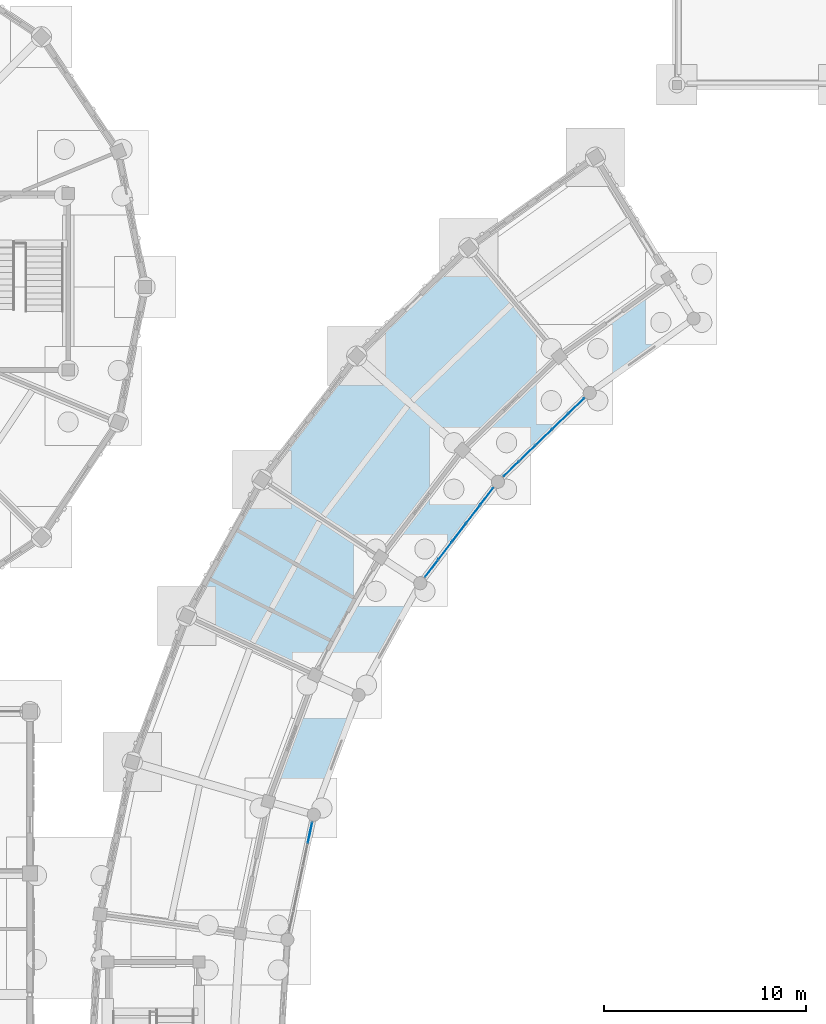
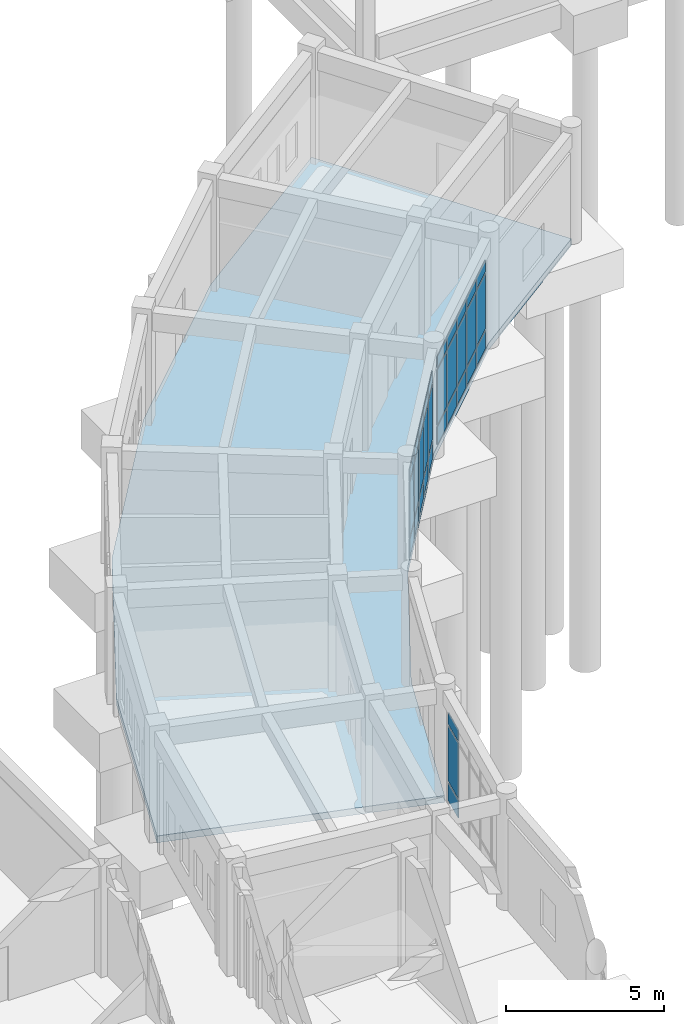
# One storey, part 108 of 153: 33 plates, 1 slab, 3 elements without a shape of their own.
"""IFC4 building model written with IfcOpenShell, lengths in metres."""

import ifcopenshell
import ifcopenshell.guid

model = None  # the IFC model being written
_history = None  # IfcOwnerHistory: only IFC2X3 demands one
_inside = {}  # id of a spatial element -> (the spatial element, [elements in it])
_under = {}  # id of a project, library or spatial element -> (it, [spatial elements below it])
_declared = {}  # id of a project -> (the project, [libraries it declares])
_typed = {}  # id of a type object -> (the type object, [elements of that type])
_made_of = {}  # id of a material, layer set ... -> (it, [elements and type objects made of it])


def new_model(schema):
    """Start an empty IFC model of exactly this schema.

    Asked for "IFC4X3", IfcOpenShell would pick the latest addendum, in which some entities
    have other attributes; the version numbers below select the first issue.
    IFC2X3 requires an IfcOwnerHistory on every rooted entity: one is made here for all.
    """
    global model, _history
    if schema == "IFC4X3":
        model = ifcopenshell.file(schema_version=(4, 3, 0, 0))
    else:
        model = ifcopenshell.file(schema=schema)
    _inside.clear()
    _under.clear()
    _declared.clear()
    _typed.clear()
    _made_of.clear()
    _history = None
    if model.schema == "IFC2X3":
        org = make("IfcOrganization", Name="unknown")
        user = make(
            "IfcPersonAndOrganization",
            ThePerson=make("IfcPerson", FamilyName="unknown"),
            TheOrganization=org,
        )
        app = make(
            "IfcApplication",
            ApplicationDeveloper=org,
            Version="unknown",
            ApplicationFullName="unknown",
            ApplicationIdentifier="unknown",
        )
        _history = make(
            "IfcOwnerHistory",
            OwningUser=user,
            OwningApplication=app,
            ChangeAction="ADDED",
            CreationDate=0,
        )
    return model


def make(cls, **values):
    """One entity of the class cls with the attributes given. An attribute that is None is left unset."""
    return model.create_entity(
        cls, **{name: value for name, value in values.items() if value is not None}
    )


def rooted(cls, **values):
    """An entity with a GlobalId (a new one), such as an element, a storey or a relation."""
    return make(cls, GlobalId=ifcopenshell.guid.new(), OwnerHistory=_history, **values)


def si_unit(unit_type, name, prefix=None):
    """IfcSIUnit, for example si_unit("LENGTHUNIT", "METRE", prefix="MILLI")."""
    return make("IfcSIUnit", UnitType=unit_type, Prefix=prefix, Name=name)


def assignment(units):
    """IfcUnitAssignment: the units of a project."""
    return None if units is None else make("IfcUnitAssignment", Units=units)


def point(xyz):
    """IfcCartesianPoint."""
    return None if xyz is None else make("IfcCartesianPoint", Coordinates=xyz)


def direction(xyz):
    """IfcDirection."""
    return None if xyz is None else make("IfcDirection", DirectionRatios=xyz)


def frame(location, z_axis=None, x_axis=None):
    """IfcAxis2Placement3D, a coordinate frame: its origin and axes. An axis left out is left unset."""
    return make(
        "IfcAxis2Placement3D",
        Location=point(location),
        Axis=direction(z_axis),
        RefDirection=direction(x_axis),
    )


def frame_2d(location, x_axis=None):
    """IfcAxis2Placement2D, a coordinate frame in the plane: its origin and x axis."""
    return make(
        "IfcAxis2Placement2D", Location=point(location), RefDirection=direction(x_axis)
    )


def origin():
    """The frame at (0, 0, 0) with its axes left unset."""
    return frame((0.0, 0.0, 0.0))


def origin_2d():
    """The frame at (0, 0) in the plane with its x axis left unset."""
    return frame_2d((0.0, 0.0))


def place(relative_to, where):
    """IfcLocalPlacement: puts the frame where relative to a parent placement (None: the world)."""
    return make(
        "IfcLocalPlacement", PlacementRelTo=relative_to, RelativePlacement=where
    )


def context(
    kind, dimensions, precision=None, world=None, true_north=None, identifier=None
):
    """IfcGeometricRepresentationContext, for example the 3D "Model" context."""
    return make(
        "IfcGeometricRepresentationContext",
        ContextIdentifier=identifier,
        ContextType=kind,
        CoordinateSpaceDimension=dimensions,
        Precision=precision,
        WorldCoordinateSystem=world,
        TrueNorth=true_north,
    )


def subcontext(parent, identifier, kind, view, scale=None):
    """IfcGeometricRepresentationSubContext, for example "Body" below "Model"."""
    return make(
        "IfcGeometricRepresentationSubContext",
        ContextIdentifier=identifier,
        ContextType=kind,
        ParentContext=parent,
        TargetScale=scale,
        TargetView=view,
    )


def project(units=None, contexts=None):
    """IfcProject with its units and contexts."""
    return rooted(
        "IfcProject",
        Name="project",
        RepresentationContexts=contexts,
        UnitsInContext=assignment(units),
    )


def spatial(cls, under=None, at=None, **own):
    """A site, building, storey or space (cls), placed at a placement, below another one or the project."""
    s = rooted(cls, ObjectPlacement=at, **own)
    if under is not None:
        _under.setdefault(under.id(), (under, []))[1].append(s)
    return s


def polyline(points):
    """IfcPolyline through the points."""
    return make("IfcPolyline", Points=[point(p) for p in points])


def profile(cls, at=None, kind="AREA", **sizes):
    """A parametric profile (cls). Its sizes go by their IFC names, for example OverallWidth=200.0."""
    return make(cls, ProfileType=kind, Position=at, **sizes)


def rectangle(**sizes):
    """IfcRectangleProfileDef."""
    return profile("IfcRectangleProfileDef", **sizes)


def outline(outer, holes=None, kind="AREA"):
    """IfcArbitraryClosedProfileDef: a profile drawn as a closed curve; with holes, ...WithVoids."""
    if holes is None:
        return make("IfcArbitraryClosedProfileDef", ProfileType=kind, OuterCurve=outer)
    return make(
        "IfcArbitraryProfileDefWithVoids",
        ProfileType=kind,
        OuterCurve=outer,
        InnerCurves=holes,
    )


def extrude(swept, where, along, depth):
    """IfcExtrudedAreaSolid: the profile swept, set in the frame where, extruded along a direction by depth."""
    return make(
        "IfcExtrudedAreaSolid",
        SweptArea=swept,
        Position=where,
        ExtrudedDirection=direction(along),
        Depth=depth,
    )


def shape(context_of_items, identifier, shape_type, items):
    """IfcShapeRepresentation: the items that make up one representation, for example the "Body"."""
    return make(
        "IfcShapeRepresentation",
        ContextOfItems=context_of_items,
        RepresentationIdentifier=identifier,
        RepresentationType=shape_type,
        Items=items,
    )


def material(Name=None, Category=None):
    """IfcMaterial."""
    return make("IfcMaterial", Name=Name, Category=Category)


def layer(
    of_material, thickness, ventilated=None, Name=None, Category=None, Priority=None
):
    """IfcMaterialLayer: one layer of a wall or slab, of a material (None: an air gap)."""
    return make(
        "IfcMaterialLayer",
        Material=of_material,
        LayerThickness=thickness,
        IsVentilated=ventilated,
        Name=Name,
        Category=Category,
        Priority=Priority,
    )


def layer_set(layers, Name=None):
    """IfcMaterialLayerSet."""
    return make("IfcMaterialLayerSet", MaterialLayers=layers, LayerSetName=Name)


def made_of(thing, what):
    """Note that an element or type object is made of a material, layer set ...; save() writes the relation."""
    if what is not None:
        _made_of.setdefault(what.id(), (what, []))[1].append(thing)
    return thing


def type_object(cls, material=None, **own):
    """A type object (cls), such as IfcWallType, which elements share."""
    return made_of(rooted(cls, **own), material)


def element(
    cls,
    number,
    at=None,
    inside=None,
    cuts=None,
    type_object=None,
    material=None,
    context=None,
    identifier="Body",
    shape_type=None,
    held_by="IfcProductDefinitionShape",
    body=None,
    shapes=None,
    **own,
):
    """One element of the class cls, such as IfcWall. Its Tag is "e" and its number.

    at: its placement. inside: the storey or other place that contains it. cuts: it is an
    opening in that element (IfcRelVoidsElement). A single representation is given by context,
    identifier, shape_type and body (its items); several are given by shapes. held_by: the class
    of the entity that holds the representations. save() writes the other relations.
    """
    e = rooted(cls, Tag="e%d" % number, ObjectPlacement=at, **own)
    if body is not None:
        shapes = [shape(context, identifier, shape_type, body)]
    if shapes is not None:
        e.Representation = make(held_by, Representations=shapes)
    if inside is not None:
        _inside.setdefault(inside.id(), (inside, []))[1].append(e)
    if cuts is not None:
        rooted(
            "IfcRelVoidsElement", RelatingBuildingElement=cuts, RelatedOpeningElement=e
        )
    if type_object is not None:
        _typed.setdefault(type_object.id(), (type_object, []))[1].append(e)
    return made_of(e, material)


def aggregate(whole, parts):
    """IfcRelAggregates: a whole, such as a stair, and the parts it consists of."""
    return rooted("IfcRelAggregates", RelatingObject=whole, RelatedObjects=parts)


def save(model, path):
    """Write the relations noted so far, then the file.

    IfcRelAggregates (storeys below a building ...), IfcRelContainedInSpatialStructure (elements
    in a storey), IfcRelDefinesByType, IfcRelAssociatesMaterial and IfcRelDeclares: one each for
    every whole, place, type object, material and project.
    """
    for whole, parts in _under.values():
        aggregate(whole, parts)
    for where, things in _inside.values():
        rooted(
            "IfcRelContainedInSpatialStructure",
            RelatedElements=things,
            RelatingStructure=where,
        )
    for kind, things in _typed.values():
        rooted("IfcRelDefinesByType", RelatedObjects=things, RelatingType=kind)
    for what, things in _made_of.values():
        rooted("IfcRelAssociatesMaterial", RelatedObjects=things, RelatingMaterial=what)
    for by, libraries in _declared.values():
        rooted("IfcRelDeclares", RelatingContext=by, RelatedDefinitions=libraries)
    model.write(path)


model = new_model("IFC4")

# Units and contexts
model_context = context("Model", 3, precision=1e-05, world=origin(), true_north=direction((0.0, 1.0)))
body_context = subcontext(model_context, "Body", "Model", "MODEL_VIEW")
ifc_project = project(units=[si_unit("LENGTHUNIT", "METRE"), si_unit("AREAUNIT", "SQUARE_METRE"), si_unit("VOLUMEUNIT", "CUBIC_METRE"), si_unit("PLANEANGLEUNIT", "RADIAN"), si_unit("MASSUNIT", "GRAM", prefix="KILO")], contexts=[model_context])

# Site, building, storey
site_placement = place(None, origin())
site = spatial("IfcSite", under=ifc_project, at=site_placement, CompositionType="ELEMENT")
building_placement = place(site_placement, origin())
building = spatial("IfcBuilding", under=site, at=building_placement, Name="Celadon Cloister-Ring School", CompositionType="ELEMENT")
storey_placement = place(building_placement, origin())
storey = spatial("IfcBuildingStorey", under=building, at=storey_placement, Name="L00", CompositionType="ELEMENT", Elevation=0.0)

# Curtain wall, plates
ifc_material_1 = material(Name="Aluminium EN AW-6063 T6", Category="aluminium")
curtain_wall_type = type_object("IfcCurtainWallType", Name="CW-01", PredefinedType="USERDEFINED", material=ifc_material_1)
curtain_wall_1_placement = place(storey_placement, origin())
curtain_wall_1 = element("IfcCurtainWall", 1, at=curtain_wall_1_placement, inside=storey, type_object=curtain_wall_type, Name="Curtain Wall 0001", ObjectType="CURTAIN WALL", PredefinedType="USERDEFINED")
ifc_material_2 = material(Name="Tempered laminated insulating glass", Category="glass")
ifc_layer_1 = layer(ifc_material_2, 0.028076171875)
ifc_layer_set_1 = layer_set([ifc_layer_1], Name="Tempered laminated insulating glass")
plate_type = type_object("IfcPlateType", Name="CPN-02", PredefinedType="CURTAIN_PANEL", material=ifc_layer_set_1)
plate_1_placement = place(storey_placement, frame((59.03515625, 91.125732421875, 0.074951171875), z_axis=(0.0, 0.0, 1.0), x_axis=(-0.718565178082, -0.695459621292, 0.0)))
plate_1 = element("IfcPlate", 2, at=plate_1_placement, type_object=plate_type, Name="CW-01 panel 1.1", PredefinedType="CURTAIN_PANEL", context=body_context, shape_type="SweptSolid", body=[
    extrude(rectangle(XDim=1.013916015625, YDim=0.028076171875, at=origin_2d()), origin(), (0.0, 0.0, 1.0), 0.6875),
])
plate_2_placement = place(storey_placement, frame((59.03515625, 91.125732421875, 0.83740234375), z_axis=(0.0, 0.0, 1.0), x_axis=(-0.718565178082, -0.695459621292, 0.0)))
plate_2 = element("IfcPlate", 3, at=plate_2_placement, type_object=plate_type, Name="CW-01 panel 1.2", PredefinedType="CURTAIN_PANEL", context=body_context, shape_type="SweptSolid", body=[
    extrude(rectangle(XDim=1.013916015625, YDim=0.028076171875, at=origin_2d()), origin(), (0.0, 0.0, 1.0), 2.125),
])
plate_3_placement = place(storey_placement, frame((59.03515625, 91.125732421875, 3.03759765625), z_axis=(0.0, 0.0, 1.0), x_axis=(-0.718565178082, -0.695459621292, 0.0)))
plate_3 = element("IfcPlate", 4, at=plate_3_placement, type_object=plate_type, Name="CW-01 panel 1.3", PredefinedType="CURTAIN_PANEL", context=body_context, shape_type="SweptSolid", body=[
    extrude(rectangle(XDim=1.013916015625, YDim=0.028076171875, at=origin_2d()), origin(), (0.0, 0.0, 1.0), 0.4375),
])
plate_4_placement = place(storey_placement, frame((58.23486328125, 90.35107421875, 0.074951171875), z_axis=(0.0, 0.0, 1.0), x_axis=(-0.718565178082, -0.695459621292, 0.0)))
plate_4 = element("IfcPlate", 5, at=plate_4_placement, type_object=plate_type, Name="CW-01 panel 2.1", PredefinedType="CURTAIN_PANEL", context=body_context, shape_type="SweptSolid", body=[
    extrude(rectangle(XDim=1.053955078125, YDim=0.028076171875, at=origin_2d()), origin(), (0.0, 0.0, 1.0), 0.6875),
])
plate_5_placement = place(storey_placement, frame((58.23486328125, 90.35107421875, 0.83740234375), z_axis=(0.0, 0.0, 1.0), x_axis=(-0.718565178082, -0.695459621292, 0.0)))
plate_5 = element("IfcPlate", 6, at=plate_5_placement, type_object=plate_type, Name="CW-01 panel 2.2", PredefinedType="CURTAIN_PANEL", context=body_context, shape_type="SweptSolid", body=[
    extrude(rectangle(XDim=1.053955078125, YDim=0.028076171875, at=origin_2d()), origin(), (0.0, 0.0, 1.0), 2.125),
])
plate_6_placement = place(storey_placement, frame((58.23486328125, 90.35107421875, 3.03759765625), z_axis=(0.0, 0.0, 1.0), x_axis=(-0.718565178082, -0.695459621292, 0.0)))
plate_6 = element("IfcPlate", 7, at=plate_6_placement, type_object=plate_type, Name="CW-01 panel 2.3", PredefinedType="CURTAIN_PANEL", context=body_context, shape_type="SweptSolid", body=[
    extrude(rectangle(XDim=1.053955078125, YDim=0.028076171875, at=origin_2d()), origin(), (0.0, 0.0, 1.0), 0.4375),
])
plate_7_placement = place(storey_placement, frame((57.419921875, 89.5625, 0.074951171875), z_axis=(0.0, 0.0, 1.0), x_axis=(-0.718565178082, -0.695459621292, 0.0)))
plate_7 = element("IfcPlate", 8, at=plate_7_placement, type_object=plate_type, Name="CW-01 panel 3.1", PredefinedType="CURTAIN_PANEL", context=body_context, shape_type="SweptSolid", body=[
    extrude(rectangle(XDim=1.053955078125, YDim=0.028076171875, at=origin_2d()), origin(), (0.0, 0.0, 1.0), 0.6875),
])
plate_8_placement = place(storey_placement, frame((57.419921875, 89.5625, 0.83740234375), z_axis=(0.0, 0.0, 1.0), x_axis=(-0.718565178082, -0.695459621292, 0.0)))
plate_8 = element("IfcPlate", 9, at=plate_8_placement, type_object=plate_type, Name="CW-01 panel 3.2", PredefinedType="CURTAIN_PANEL", context=body_context, shape_type="SweptSolid", body=[
    extrude(rectangle(XDim=1.053955078125, YDim=0.028076171875, at=origin_2d()), origin(), (0.0, 0.0, 1.0), 2.125),
])
plate_9_placement = place(storey_placement, frame((57.419921875, 89.5625, 3.03759765625), z_axis=(0.0, 0.0, 1.0), x_axis=(-0.718565178082, -0.695459621292, 0.0)))
plate_9 = element("IfcPlate", 10, at=plate_9_placement, type_object=plate_type, Name="CW-01 panel 3.3", PredefinedType="CURTAIN_PANEL", context=body_context, shape_type="SweptSolid", body=[
    extrude(rectangle(XDim=1.053955078125, YDim=0.028076171875, at=origin_2d()), origin(), (0.0, 0.0, 1.0), 0.4375),
])
plate_10_placement = place(storey_placement, frame((56.605224609375, 88.77392578125, 0.074951171875), z_axis=(0.0, 0.0, 1.0), x_axis=(-0.718565178082, -0.695459621292, 0.0)))
plate_10 = element("IfcPlate", 11, at=plate_10_placement, type_object=plate_type, Name="CW-01 panel 4.1", PredefinedType="CURTAIN_PANEL", context=body_context, shape_type="SweptSolid", body=[
    extrude(rectangle(XDim=1.053955078125, YDim=0.028076171875, at=origin_2d()), origin(), (0.0, 0.0, 1.0), 0.6875),
])
plate_11_placement = place(storey_placement, frame((56.605224609375, 88.77392578125, 0.83740234375), z_axis=(0.0, 0.0, 1.0), x_axis=(-0.718565178082, -0.695459621292, 0.0)))
plate_11 = element("IfcPlate", 12, at=plate_11_placement, type_object=plate_type, Name="CW-01 panel 4.2", PredefinedType="CURTAIN_PANEL", context=body_context, shape_type="SweptSolid", body=[
    extrude(rectangle(XDim=1.053955078125, YDim=0.028076171875, at=origin_2d()), origin(), (0.0, 0.0, 1.0), 2.125),
])
plate_12_placement = place(storey_placement, frame((56.605224609375, 88.77392578125, 3.03759765625), z_axis=(0.0, 0.0, 1.0), x_axis=(-0.718565178082, -0.695459621292, 0.0)))
plate_12 = element("IfcPlate", 13, at=plate_12_placement, type_object=plate_type, Name="CW-01 panel 4.3", PredefinedType="CURTAIN_PANEL", context=body_context, shape_type="SweptSolid", body=[
    extrude(rectangle(XDim=1.053955078125, YDim=0.028076171875, at=origin_2d()), origin(), (0.0, 0.0, 1.0), 0.4375),
])
plate_13_placement = place(storey_placement, frame((55.8046875, 87.999267578125, 0.074951171875), z_axis=(0.0, 0.0, 1.0), x_axis=(-0.718565178082, -0.695459621292, 0.0)))
plate_13 = element("IfcPlate", 14, at=plate_13_placement, type_object=plate_type, Name="CW-01 panel 5.1", PredefinedType="CURTAIN_PANEL", context=body_context, shape_type="SweptSolid", body=[
    extrude(rectangle(XDim=1.013916015625, YDim=0.028076171875, at=origin_2d()), origin(), (0.0, 0.0, 1.0), 0.6875),
])
plate_14_placement = place(storey_placement, frame((55.8046875, 87.999267578125, 0.83740234375), z_axis=(0.0, 0.0, 1.0), x_axis=(-0.718565178082, -0.695459621292, 0.0)))
plate_14 = element("IfcPlate", 15, at=plate_14_placement, type_object=plate_type, Name="CW-01 panel 5.2", PredefinedType="CURTAIN_PANEL", context=body_context, shape_type="SweptSolid", body=[
    extrude(rectangle(XDim=1.013916015625, YDim=0.028076171875, at=origin_2d()), origin(), (0.0, 0.0, 1.0), 2.125),
])
plate_15_placement = place(storey_placement, frame((55.8046875, 87.999267578125, 3.03759765625), z_axis=(0.0, 0.0, 1.0), x_axis=(-0.718565178082, -0.695459621292, 0.0)))
plate_15 = element("IfcPlate", 16, at=plate_15_placement, type_object=plate_type, Name="CW-01 panel 5.3", PredefinedType="CURTAIN_PANEL", context=body_context, shape_type="SweptSolid", body=[
    extrude(rectangle(XDim=1.013916015625, YDim=0.028076171875, at=origin_2d()), origin(), (0.0, 0.0, 1.0), 0.4375),
])
aggregate(curtain_wall_1, [plate_1, plate_2, plate_3, plate_4, plate_5, plate_6, plate_7, plate_8, plate_9, plate_10, plate_11, plate_12, plate_13, plate_14, plate_15])

curtain_wall_2_placement = place(storey_placement, origin())
curtain_wall_2 = element("IfcCurtainWall", 17, at=curtain_wall_2_placement, inside=storey, type_object=curtain_wall_type, Name="Curtain Wall 0002", ObjectType="CURTAIN WALL", PredefinedType="USERDEFINED")
plate_16_placement = place(storey_placement, frame((54.595458984375, 86.64111328125, 0.074951171875), z_axis=(0.0, 0.0, 1.0), x_axis=(-0.607875738699, -0.794032169563, 0.0)))
plate_16 = element("IfcPlate", 18, at=plate_16_placement, type_object=plate_type, Name="CW-01 panel 1.1", PredefinedType="CURTAIN_PANEL", context=body_context, shape_type="SweptSolid", body=[
    extrude(rectangle(XDim=1.013427734375, YDim=0.028076171875, at=origin_2d()), origin(), (0.0, 0.0, 1.0), 0.6875),
])
plate_17_placement = place(storey_placement, frame((54.595458984375, 86.64111328125, 0.83740234375), z_axis=(0.0, 0.0, 1.0), x_axis=(-0.607875738699, -0.794032169563, 0.0)))
plate_17 = element("IfcPlate", 19, at=plate_17_placement, type_object=plate_type, Name="CW-01 panel 1.2", PredefinedType="CURTAIN_PANEL", context=body_context, shape_type="SweptSolid", body=[
    extrude(rectangle(XDim=1.013427734375, YDim=0.028076171875, at=origin_2d()), origin(), (0.0, 0.0, 1.0), 2.125),
])
plate_18_placement = place(storey_placement, frame((54.595458984375, 86.64111328125, 3.03759765625), z_axis=(0.0, 0.0, 1.0), x_axis=(-0.607875738699, -0.794032169563, 0.0)))
plate_18 = element("IfcPlate", 20, at=plate_18_placement, type_object=plate_type, Name="CW-01 panel 1.3", PredefinedType="CURTAIN_PANEL", context=body_context, shape_type="SweptSolid", body=[
    extrude(rectangle(XDim=1.013427734375, YDim=0.028076171875, at=origin_2d()), origin(), (0.0, 0.0, 1.0), 0.4375),
])
plate_19_placement = place(storey_placement, frame((53.91845703125, 85.757080078125, 0.074951171875), z_axis=(0.0, 0.0, 1.0), x_axis=(-0.607875738699, -0.794032169563, 0.0)))
plate_19 = element("IfcPlate", 21, at=plate_19_placement, type_object=plate_type, Name="CW-01 panel 2.1", PredefinedType="CURTAIN_PANEL", context=body_context, shape_type="SweptSolid", body=[
    extrude(rectangle(XDim=1.053466796875, YDim=0.028076171875, at=origin_2d()), origin(), (0.0, 0.0, 1.0), 0.6875),
])
plate_20_placement = place(storey_placement, frame((53.91845703125, 85.757080078125, 0.83740234375), z_axis=(0.0, 0.0, 1.0), x_axis=(-0.607875738699, -0.794032169563, 0.0)))
plate_20 = element("IfcPlate", 22, at=plate_20_placement, type_object=plate_type, Name="CW-01 panel 2.2", PredefinedType="CURTAIN_PANEL", context=body_context, shape_type="SweptSolid", body=[
    extrude(rectangle(XDim=1.053466796875, YDim=0.028076171875, at=origin_2d()), origin(), (0.0, 0.0, 1.0), 2.125),
])
plate_21_placement = place(storey_placement, frame((53.91845703125, 85.757080078125, 3.03759765625), z_axis=(0.0, 0.0, 1.0), x_axis=(-0.607875738699, -0.794032169563, 0.0)))
plate_21 = element("IfcPlate", 23, at=plate_21_placement, type_object=plate_type, Name="CW-01 panel 2.3", PredefinedType="CURTAIN_PANEL", context=body_context, shape_type="SweptSolid", body=[
    extrude(rectangle(XDim=1.053466796875, YDim=0.028076171875, at=origin_2d()), origin(), (0.0, 0.0, 1.0), 0.4375),
])
plate_22_placement = place(storey_placement, frame((53.2294921875, 84.85693359375, 0.074951171875), z_axis=(0.0, 0.0, 1.0), x_axis=(-0.607875738699, -0.794032169563, 0.0)))
plate_22 = element("IfcPlate", 24, at=plate_22_placement, type_object=plate_type, Name="CW-01 panel 3.1", PredefinedType="CURTAIN_PANEL", context=body_context, shape_type="SweptSolid", body=[
    extrude(rectangle(XDim=1.053466796875, YDim=0.028076171875, at=origin_2d()), origin(), (0.0, 0.0, 1.0), 0.6875),
])
plate_23_placement = place(storey_placement, frame((53.2294921875, 84.85693359375, 0.83740234375), z_axis=(0.0, 0.0, 1.0), x_axis=(-0.607875738699, -0.794032169563, 0.0)))
plate_23 = element("IfcPlate", 25, at=plate_23_placement, type_object=plate_type, Name="CW-01 panel 3.2", PredefinedType="CURTAIN_PANEL", context=body_context, shape_type="SweptSolid", body=[
    extrude(rectangle(XDim=1.053466796875, YDim=0.028076171875, at=origin_2d()), origin(), (0.0, 0.0, 1.0), 2.125),
])
plate_24_placement = place(storey_placement, frame((53.2294921875, 84.85693359375, 3.03759765625), z_axis=(0.0, 0.0, 1.0), x_axis=(-0.607875738699, -0.794032169563, 0.0)))
plate_24 = element("IfcPlate", 26, at=plate_24_placement, type_object=plate_type, Name="CW-01 panel 3.3", PredefinedType="CURTAIN_PANEL", context=body_context, shape_type="SweptSolid", body=[
    extrude(rectangle(XDim=1.053466796875, YDim=0.028076171875, at=origin_2d()), origin(), (0.0, 0.0, 1.0), 0.4375),
])
plate_25_placement = place(storey_placement, frame((52.54052734375, 83.95703125, 0.074951171875), z_axis=(0.0, 0.0, 1.0), x_axis=(-0.607875738699, -0.794032169563, 0.0)))
plate_25 = element("IfcPlate", 27, at=plate_25_placement, type_object=plate_type, Name="CW-01 panel 4.1", PredefinedType="CURTAIN_PANEL", context=body_context, shape_type="SweptSolid", body=[
    extrude(rectangle(XDim=1.053466796875, YDim=0.028076171875, at=origin_2d()), origin(), (0.0, 0.0, 1.0), 0.6875),
])
plate_26_placement = place(storey_placement, frame((52.54052734375, 83.95703125, 0.83740234375), z_axis=(0.0, 0.0, 1.0), x_axis=(-0.607875738699, -0.794032169563, 0.0)))
plate_26 = element("IfcPlate", 28, at=plate_26_placement, type_object=plate_type, Name="CW-01 panel 4.2", PredefinedType="CURTAIN_PANEL", context=body_context, shape_type="SweptSolid", body=[
    extrude(rectangle(XDim=1.053466796875, YDim=0.028076171875, at=origin_2d()), origin(), (0.0, 0.0, 1.0), 2.125),
])
plate_27_placement = place(storey_placement, frame((52.54052734375, 83.95703125, 3.03759765625), z_axis=(0.0, 0.0, 1.0), x_axis=(-0.607875738699, -0.794032169563, 0.0)))
plate_27 = element("IfcPlate", 29, at=plate_27_placement, type_object=plate_type, Name="CW-01 panel 4.3", PredefinedType="CURTAIN_PANEL", context=body_context, shape_type="SweptSolid", body=[
    extrude(rectangle(XDim=1.053466796875, YDim=0.028076171875, at=origin_2d()), origin(), (0.0, 0.0, 1.0), 0.4375),
])
plate_28_placement = place(storey_placement, frame((51.86376953125, 83.072998046875, 0.074951171875), z_axis=(0.0, 0.0, 1.0), x_axis=(-0.607875738699, -0.794032169563, 0.0)))
plate_28 = element("IfcPlate", 30, at=plate_28_placement, type_object=plate_type, Name="CW-01 panel 5.1", PredefinedType="CURTAIN_PANEL", context=body_context, shape_type="SweptSolid", body=[
    extrude(rectangle(XDim=1.013427734375, YDim=0.028076171875, at=origin_2d()), origin(), (0.0, 0.0, 1.0), 0.6875),
])
plate_29_placement = place(storey_placement, frame((51.86376953125, 83.072998046875, 0.83740234375), z_axis=(0.0, 0.0, 1.0), x_axis=(-0.607875738699, -0.794032169563, 0.0)))
plate_29 = element("IfcPlate", 31, at=plate_29_placement, type_object=plate_type, Name="CW-01 panel 5.2", PredefinedType="CURTAIN_PANEL", context=body_context, shape_type="SweptSolid", body=[
    extrude(rectangle(XDim=1.013427734375, YDim=0.028076171875, at=origin_2d()), origin(), (0.0, 0.0, 1.0), 2.125),
])
plate_30_placement = place(storey_placement, frame((51.86376953125, 83.072998046875, 3.03759765625), z_axis=(0.0, 0.0, 1.0), x_axis=(-0.607875738699, -0.794032169563, 0.0)))
plate_30 = element("IfcPlate", 32, at=plate_30_placement, type_object=plate_type, Name="CW-01 panel 5.3", PredefinedType="CURTAIN_PANEL", context=body_context, shape_type="SweptSolid", body=[
    extrude(rectangle(XDim=1.013427734375, YDim=0.028076171875, at=origin_2d()), origin(), (0.0, 0.0, 1.0), 0.4375),
])
aggregate(curtain_wall_2, [plate_16, plate_17, plate_18, plate_19, plate_20, plate_21, plate_22, plate_23, plate_24, plate_25, plate_26, plate_27, plate_28, plate_29, plate_30])

curtain_wall_3_placement = place(storey_placement, origin())
curtain_wall_3 = element("IfcCurtainWall", 33, at=curtain_wall_3_placement, inside=storey, type_object=curtain_wall_type, Name="Curtain Wall 0003", ObjectType="CURTAIN WALL", PredefinedType="USERDEFINED")
plate_31_placement = place(storey_placement, frame((45.8544921875, 70.0068359375, 0.074951171875), z_axis=(0.0, 0.0, 1.0), x_axis=(-0.207094964304, -0.978320844999, 0.0)))
plate_31 = element("IfcPlate", 34, at=plate_31_placement, type_object=plate_type, Name="CW-01 panel 1.1", PredefinedType="CURTAIN_PANEL", context=body_context, shape_type="SweptSolid", body=[
    extrude(rectangle(XDim=1.013671875, YDim=0.028076171875, at=origin_2d()), origin(), (0.0, 0.0, 1.0), 0.6875),
])
plate_32_placement = place(storey_placement, frame((45.8544921875, 70.0068359375, 0.83740234375), z_axis=(0.0, 0.0, 1.0), x_axis=(-0.207094964304, -0.978320844999, 0.0)))
plate_32 = element("IfcPlate", 35, at=plate_32_placement, type_object=plate_type, Name="CW-01 panel 1.2", PredefinedType="CURTAIN_PANEL", context=body_context, shape_type="SweptSolid", body=[
    extrude(rectangle(XDim=1.013671875, YDim=0.028076171875, at=origin_2d()), origin(), (0.0, 0.0, 1.0), 2.125),
])
plate_33_placement = place(storey_placement, frame((45.8544921875, 70.0068359375, 3.03759765625), z_axis=(0.0, 0.0, 1.0), x_axis=(-0.207094964304, -0.978320844999, 0.0)))
plate_33 = element("IfcPlate", 36, at=plate_33_placement, type_object=plate_type, Name="CW-01 panel 1.3", PredefinedType="CURTAIN_PANEL", context=body_context, shape_type="SweptSolid", body=[
    extrude(rectangle(XDim=1.013671875, YDim=0.028076171875, at=origin_2d()), origin(), (0.0, 0.0, 1.0), 0.4375),
])
aggregate(curtain_wall_3, [plate_31, plate_32, plate_33])

# Slab
ifc_material_3 = material(Name="Concrete C35/45", Category="concrete")
ifc_layer_2 = layer(ifc_material_3, 0.260009765625)
ifc_layer_set_2 = layer_set([ifc_layer_2], Name="Concrete C35/45")
slab_type = type_object("IfcSlabType", Name="SL-BS1", PredefinedType="BASESLAB", material=ifc_layer_set_2)
slab_placement = place(storey_placement, frame((0.0, 0.0, -0.260009765625)))
element("IfcSlab", 37, at=slab_placement, inside=storey, type_object=slab_type, Name="Ring L00 Sector 0001", PredefinedType="BASESLAB", context=body_context, shape_type="SweptSolid", body=[
    extrude(outline(polyline([(59.968994140625, 103.422119140625), (53.702880859375, 98.94091796875), (48.16796875, 93.583984375), (43.48388671875, 87.467041015625), (39.756103515625, 80.72607421875), (37.06494140625, 73.508056640625), (46.04296875, 70.89892578125), (48.2509765625, 76.819091796875), (51.30908203125, 82.34912109375), (55.14990234375, 87.364990234375), (59.68994140625, 91.760009765625), (64.830078125, 95.43505859375), (59.968994140625, 103.422119140625)])), origin(), (0.0, 0.0, 1.0), 0.260009765625),
])

save(model, "model.ifc")
